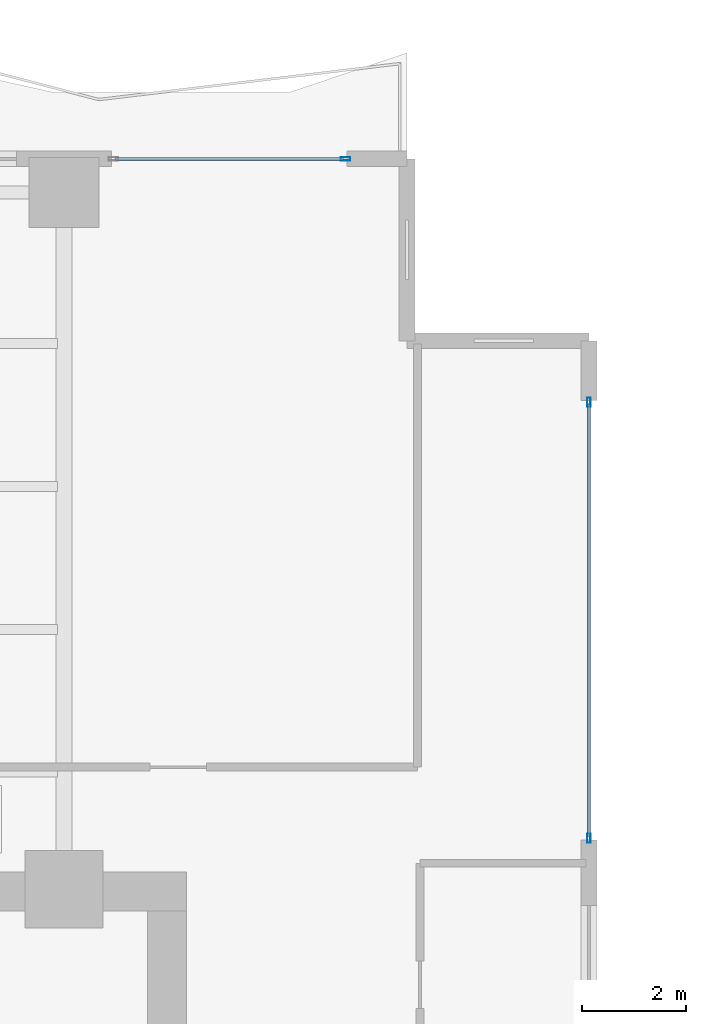
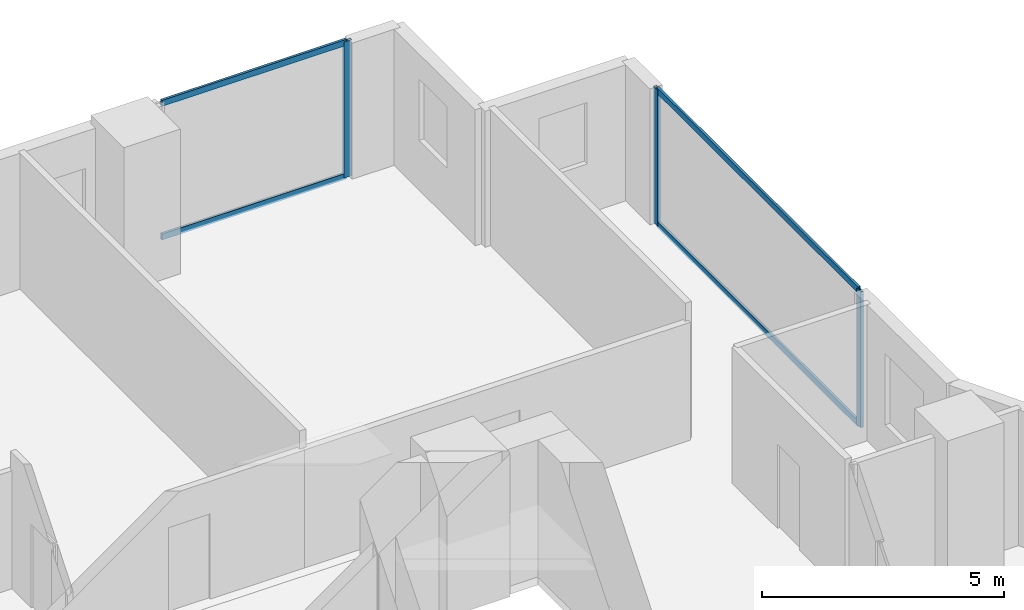
# One storey, part 18 of 28: 7 members, 2 elements without a shape of their own.
"""IFC4 building model written with IfcOpenShell, lengths in metres."""

from ifc_helpers import new_model, si_unit, direction, frame, origin, origin_2d, place, context, subcontext, project, spatial, hollow_rectangle, extrude, material, layer, layer_set, material_profile, profile_set, type_object, element, aggregate, save


model = new_model("IFC4")

# Units and contexts
model_context = context("Model", 3, precision=1e-05, world=origin(), true_north=direction((0.0, 1.0)))
body_context = subcontext(model_context, "Body", "Model", "MODEL_VIEW")
ifc_project = project(units=[si_unit("LENGTHUNIT", "METRE"), si_unit("AREAUNIT", "SQUARE_METRE"), si_unit("VOLUMEUNIT", "CUBIC_METRE"), si_unit("PLANEANGLEUNIT", "RADIAN"), si_unit("MASSUNIT", "GRAM", prefix="KILO")], contexts=[model_context])

# Site, building, storey
site_placement = place(None, origin())
site = spatial("IfcSite", under=ifc_project, at=site_placement, CompositionType="ELEMENT")
building_placement = place(site_placement, origin())
building = spatial("IfcBuilding", under=site, at=building_placement, Name="Zuhayl Quay Hotel", CompositionType="ELEMENT")
storey_placement = place(building_placement, frame((0.0, 0.0, 121.199951171875)))
storey = spatial("IfcBuildingStorey", under=building, at=storey_placement, Name="L30", CompositionType="ELEMENT", Elevation=121.199951171875)

# Curtain wall, member
ifc_material_1 = material(Name="Anodised Aluminium 6063-T6", Category="aluminium")
ifc_layer = layer(ifc_material_1, 0.179931640625, Name="Anodised Aluminium 6063-T6", Category="aluminium")
ifc_layer_set = layer_set([ifc_layer], Name="Anodised Aluminium 6063-T6")
curtain_wall_type = type_object("IfcCurtainWallType", Name="CW_SYS_Z2", PredefinedType="USERDEFINED", material=ifc_layer_set)
curtain_wall_1_placement = place(storey_placement, origin())
curtain_wall_1 = element("IfcCurtainWall", 1, at=curtain_wall_1_placement, inside=storey, type_object=curtain_wall_type, Name="L30 Curtain Wall ENV_L30_N_CW4", ObjectType="UNITISED CURTAIN WALL", PredefinedType="USERDEFINED")
ifc_material_2 = material(Name="Black-anodised aluminium 6063-T6", Category="aluminium")
ifc_material_profile_1 = material_profile(ifc_material_2, hollow_rectangle(XDim=0.06494140625, YDim=0.179931640625, WallThickness=0.00341796875, at=origin_2d()), Name="ALU180X65")
ifc_profile_set_1 = profile_set([ifc_material_profile_1], Name="Black-anodised aluminium 6063-T6")
member_type_1 = type_object("IfcMemberType", Name="MB_CW_MUL_180", PredefinedType="MULLION", material=ifc_profile_set_1)
member_1_placement = place(storey_placement, frame((19.217529296875, 28.39990234375, 0.0), z_axis=(0.0, 0.0, 1.0), x_axis=(0.0, 1.0, 0.0)))
member_1 = element("IfcMember", 2, at=member_1_placement, type_object=member_type_1, Name="CW-Z2 mullion 2", PredefinedType="MULLION", context=body_context, shape_type="SweptSolid", body=[
    extrude(hollow_rectangle(XDim=0.06494140625, YDim=0.179931640625, WallThickness=0.00341796875, at=origin_2d()), origin(), (0.0, 0.0, 1.0), 3.429931640625),
])

# Curtain wall, members
curtain_wall_2_placement = place(storey_placement, origin())
curtain_wall_2 = element("IfcCurtainWall", 3, at=curtain_wall_2_placement, inside=storey, type_object=curtain_wall_type, Name="L30 Curtain Wall ENV_L30_E11_CW1", ObjectType="UNITISED CURTAIN WALL", PredefinedType="USERDEFINED")
member_2_placement = place(storey_placement, frame((23.89990234375, 23.717529296875, 0.0), z_axis=(0.0, 0.0, 1.0), x_axis=(1.0, 0.0, 0.0)))
member_2 = element("IfcMember", 4, at=member_2_placement, type_object=member_type_1, Name="CW-Z2 mullion 1", PredefinedType="MULLION", context=body_context, shape_type="SweptSolid", body=[
    extrude(hollow_rectangle(XDim=0.06494140625, YDim=0.179931640625, WallThickness=0.00341796875, at=origin_2d()), origin(), (0.0, 0.0, 1.0), 3.429931640625),
])
member_3_placement = place(storey_placement, frame((23.89990234375, 15.33251953125, 0.0), z_axis=(0.0, 0.0, 1.0), x_axis=(1.0, 0.0, 0.0)))
member_3 = element("IfcMember", 5, at=member_3_placement, type_object=member_type_1, Name="CW-Z2 mullion 2", PredefinedType="MULLION", context=body_context, shape_type="SweptSolid", body=[
    extrude(hollow_rectangle(XDim=0.06494140625, YDim=0.179931640625, WallThickness=0.00341796875, at=origin_2d()), origin(), (0.0, 0.0, 1.0), 3.429931640625),
])

# Member
ifc_material_profile_2 = material_profile(ifc_material_2, hollow_rectangle(XDim=0.06005859375, YDim=0.14990234375, WallThickness=0.00341796875, at=origin_2d()), Name="ALU150X60")
ifc_profile_set_2 = profile_set([ifc_material_profile_2], Name="Black-anodised aluminium 6063-T6")
member_type_2 = type_object("IfcMemberType", Name="MB_CW_TRN_150", PredefinedType="USERDEFINED", material=ifc_profile_set_2)
member_4_placement = place(storey_placement, frame((14.784912109375, 28.39990234375, 0.030029296875), z_axis=(1.0, 0.0, 0.0), x_axis=(0.0, 1.0, 0.0)))
member_4 = element("IfcMember", 6, at=member_4_placement, type_object=member_type_2, Name="CW-Z2 transom 1.1", ObjectType="TRANSOM", PredefinedType="USERDEFINED", context=body_context, shape_type="SweptSolid", body=[
    extrude(hollow_rectangle(XDim=0.06005859375, YDim=0.14990234375, WallThickness=0.00341796875, at=origin_2d()), origin(), (0.0, 0.0, 1.0), 4.400146484375),
])

member_5_placement = place(storey_placement, frame((14.784912109375, 28.39990234375, 3.400146484375), z_axis=(1.0, 0.0, 0.0), x_axis=(0.0, 1.0, 0.0)))
member_5 = element("IfcMember", 7, at=member_5_placement, type_object=member_type_2, Name="CW-Z2 transom 1.2", ObjectType="TRANSOM", PredefinedType="USERDEFINED", context=body_context, shape_type="SweptSolid", body=[
    extrude(hollow_rectangle(XDim=0.06005859375, YDim=0.14990234375, WallThickness=0.00341796875, at=origin_2d()), origin(), (0.0, 0.0, 1.0), 4.400146484375),
])

aggregate(curtain_wall_1, [member_1, member_4, member_5])

member_6_placement = place(storey_placement, frame((23.89990234375, 23.68505859375, 0.030029296875), z_axis=(0.0, -1.0, 0.0), x_axis=(1.0, 0.0, 0.0)))
member_6 = element("IfcMember", 8, at=member_6_placement, type_object=member_type_2, Name="CW-Z2 transom 1.1", ObjectType="TRANSOM", PredefinedType="USERDEFINED", context=body_context, shape_type="SweptSolid", body=[
    extrude(hollow_rectangle(XDim=0.06005859375, YDim=0.14990234375, WallThickness=0.00341796875, at=origin_2d()), origin(), (0.0, 0.0, 1.0), 8.320068359375),
])

member_7_placement = place(storey_placement, frame((23.89990234375, 23.68505859375, 3.400146484375), z_axis=(0.0, -1.0, 0.0), x_axis=(1.0, 0.0, 0.0)))
member_7 = element("IfcMember", 9, at=member_7_placement, type_object=member_type_2, Name="CW-Z2 transom 1.2", ObjectType="TRANSOM", PredefinedType="USERDEFINED", context=body_context, shape_type="SweptSolid", body=[
    extrude(hollow_rectangle(XDim=0.06005859375, YDim=0.14990234375, WallThickness=0.00341796875, at=origin_2d()), origin(), (0.0, 0.0, 1.0), 8.320068359375),
])

aggregate(curtain_wall_2, [member_2, member_3, member_6, member_7])

save(model, "model.ifc")
